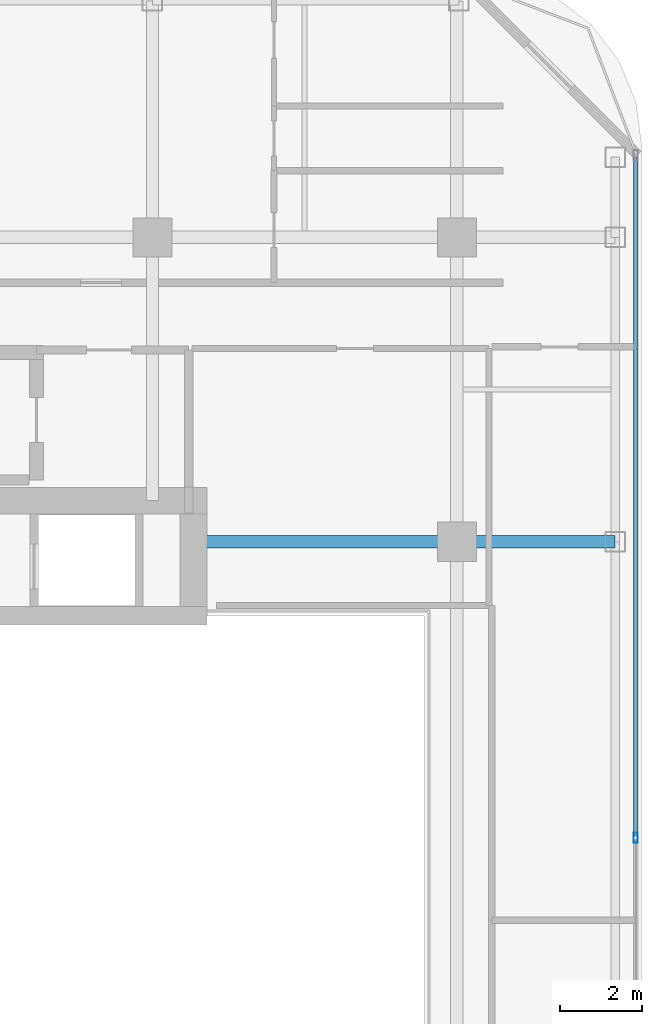
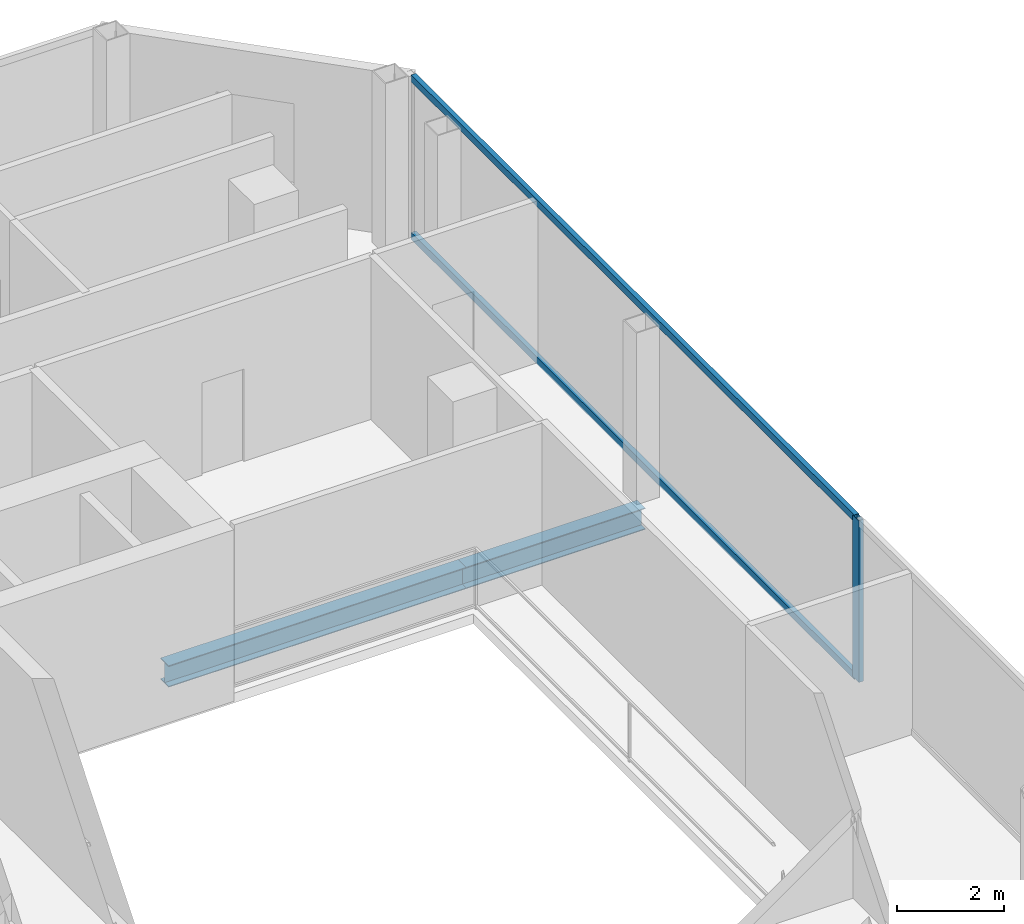
# One storey, part 10 of 22: 3 members, 2 beams, 1 element without a shape of its own.
"""IFC4 building model written with IfcOpenShell, lengths in metres."""

from ifc_helpers import new_model, si_unit, direction, frame, origin, origin_2d, place, context, subcontext, project, spatial, hollow_rectangle, i_section, extrude, material, layer, layer_set, material_profile, profile_set, type_object, element, aggregate, save


model = new_model("IFC4")

# Units and contexts
model_context = context("Model", 3, precision=1e-05, world=origin(), true_north=direction((0.0, 1.0)))
body_context = subcontext(model_context, "Body", "Model", "MODEL_VIEW")
ifc_project = project(units=[si_unit("LENGTHUNIT", "METRE"), si_unit("AREAUNIT", "SQUARE_METRE"), si_unit("VOLUMEUNIT", "CUBIC_METRE"), si_unit("PLANEANGLEUNIT", "RADIAN"), si_unit("MASSUNIT", "GRAM", prefix="KILO")], contexts=[model_context])

# Site, building, storey
site_placement = place(None, origin())
site = spatial("IfcSite", under=ifc_project, at=site_placement, CompositionType="ELEMENT")
building_placement = place(site_placement, origin())
building = spatial("IfcBuilding", under=site, at=building_placement, Name="Khorvyn Point Tower", CompositionType="ELEMENT")
storey_placement = place(building_placement, frame((0.0, 0.0, 305.39990234375)))
storey = spatial("IfcBuildingStorey", under=building, at=storey_placement, Name="L75", CompositionType="ELEMENT", Elevation=305.39990234375)

# Curtain wall, members
ifc_material_1 = material(Name="Anodised aluminium 6063-T6 and laminated Low-E glass", Category="aluminium")
ifc_layer = layer(ifc_material_1, 0.18994140625)
ifc_layer_set = layer_set([ifc_layer], Name="Stick-Built High-Wind Curtain Wall CW-SYS-04")
curtain_wall_type = type_object("IfcCurtainWallType", Name="Stick-Built High-Wind Curtain Wall CW-SYS-04", PredefinedType="NOTDEFINED", material=ifc_layer_set)
curtain_wall_placement = place(storey_placement, origin())
curtain_wall = element("IfcCurtainWall", 1, at=curtain_wall_placement, inside=storey, type_object=curtain_wall_type, Name="Curtain Wall", PredefinedType="NOTDEFINED")
ifc_material_2 = material(Name="Anodised aluminium 6063-T6", Category="aluminium")
ifc_material_profile_1 = material_profile(ifc_material_2, hollow_rectangle(XDim=0.10009765625, YDim=0.239990234375, WallThickness=0.0048828125, at=origin_2d()))
ifc_profile_set_1 = profile_set([ifc_material_profile_1], Name="Anodised aluminium 6063-T6 ALU-MUL-100x240")
member_type_1 = type_object("IfcMemberType", Name="Anodised Aluminium 6063-T6 Mullion ALU-MUL-100x240", PredefinedType="MULLION", material=ifc_profile_set_1)
member_1_placement = place(storey_placement, frame((19.14990234375, 0.199951171875, 0.0), z_axis=(0.0, 0.0, 1.0), x_axis=(1.0, 0.0, 0.0)))
member_1 = element("IfcMember", 2, at=member_1_placement, type_object=member_type_1, Name="Transom", PredefinedType="MULLION", context=body_context, shape_type="SweptSolid", body=[
    extrude(hollow_rectangle(XDim=0.10009765625, YDim=0.239990234375, WallThickness=0.0048828125, at=origin_2d()), origin(), (0.0, 0.0, 1.0), 3.68017578125),
])
ifc_material_profile_2 = material_profile(ifc_material_2, hollow_rectangle(XDim=0.10009765625, YDim=0.159912109375, WallThickness=0.00439453125, at=origin_2d()))
ifc_profile_set_2 = profile_set([ifc_material_profile_2], Name="Anodised aluminium 6063-T6 ALU-TRN-100x160")
member_type_2 = type_object("IfcMemberType", Name="Anodised Aluminium 6063-T6 Transom ALU-TRN-100x160", PredefinedType="USERDEFINED", material=ifc_profile_set_2)
member_2_placement = place(storey_placement, frame((19.14990234375, 16.75, 0.050048828125), z_axis=(0.0, -1.0, 0.0), x_axis=(1.0, 0.0, 0.0)))
member_2 = element("IfcMember", 3, at=member_2_placement, type_object=member_type_2, Name="Transom", ObjectType="TRANSOM", PredefinedType="USERDEFINED", context=body_context, shape_type="SweptSolid", body=[
    extrude(hollow_rectangle(XDim=0.10009765625, YDim=0.159912109375, WallThickness=0.00439453125, at=origin_2d()), origin(), (0.0, 0.0, 1.0), 16.5),
])
member_3_placement = place(storey_placement, frame((19.14990234375, 16.75, 3.630126953125), z_axis=(0.0, -1.0, 0.0), x_axis=(1.0, 0.0, 0.0)))
member_3 = element("IfcMember", 4, at=member_3_placement, type_object=member_type_2, Name="Transom", ObjectType="TRANSOM", PredefinedType="USERDEFINED", context=body_context, shape_type="SweptSolid", body=[
    extrude(hollow_rectangle(XDim=0.10009765625, YDim=0.159912109375, WallThickness=0.00439453125, at=origin_2d()), origin(), (0.0, 0.0, 1.0), 16.5),
])
aggregate(curtain_wall, [member_1, member_2, member_3])

# Beams
ifc_material_3 = material(Name="Steel S355", Category="steel")
ifc_material_profile_3 = material_profile(ifc_material_3, i_section(OverallWidth=0.300048828125, OverallDepth=0.488037109375, WebThickness=0.010986328125, FlangeThickness=0.01806640625, at=origin_2d()))
ifc_profile_set_3 = profile_set([ifc_material_profile_3], Name="Steel S355 H488x300x11x18")
beam_type = type_object("IfcBeamType", Name="Steel S355 Spandrel H488x300x11x18", PredefinedType="SPANDREL", material=ifc_profile_set_3)
beam_1_placement = place(storey_placement, frame((8.39990234375, 7.39990234375, -0.4638671875), z_axis=(1.0, 0.0, 0.0), x_axis=(0.0, 1.0, 0.0)))
element("IfcBeam", 5, at=beam_1_placement, inside=storey, type_object=beam_type, Name="Beam", PredefinedType="SPANDREL", context=body_context, shape_type="SweptSolid", body=[
    extrude(i_section(OverallWidth=0.300048828125, OverallDepth=0.488037109375, WebThickness=0.010986328125, FlangeThickness=0.01806640625, at=origin_2d()), origin(), (0.0, 0.0, 1.0), 6.400146484375),
])
beam_2_placement = place(storey_placement, frame((14.800048828125, 7.39990234375, -0.4638671875), z_axis=(1.0, 0.0, 0.0), x_axis=(0.0, 1.0, 0.0)))
element("IfcBeam", 6, at=beam_2_placement, inside=storey, type_object=beam_type, Name="Beam", PredefinedType="SPANDREL", context=body_context, shape_type="SweptSolid", body=[
    extrude(i_section(OverallWidth=0.300048828125, OverallDepth=0.488037109375, WebThickness=0.010986328125, FlangeThickness=0.01806640625, at=origin_2d()), origin(), (0.0, 0.0, 1.0), 3.849853515625),
])

save(model, "model.ifc")
